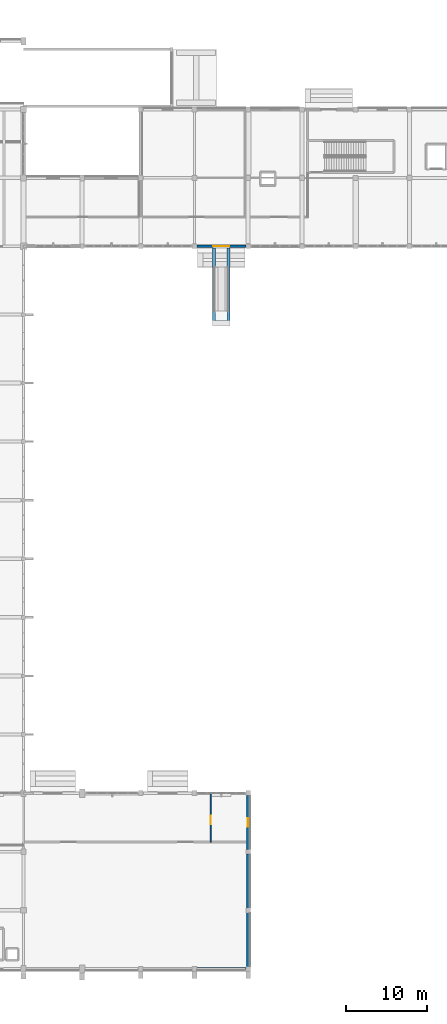
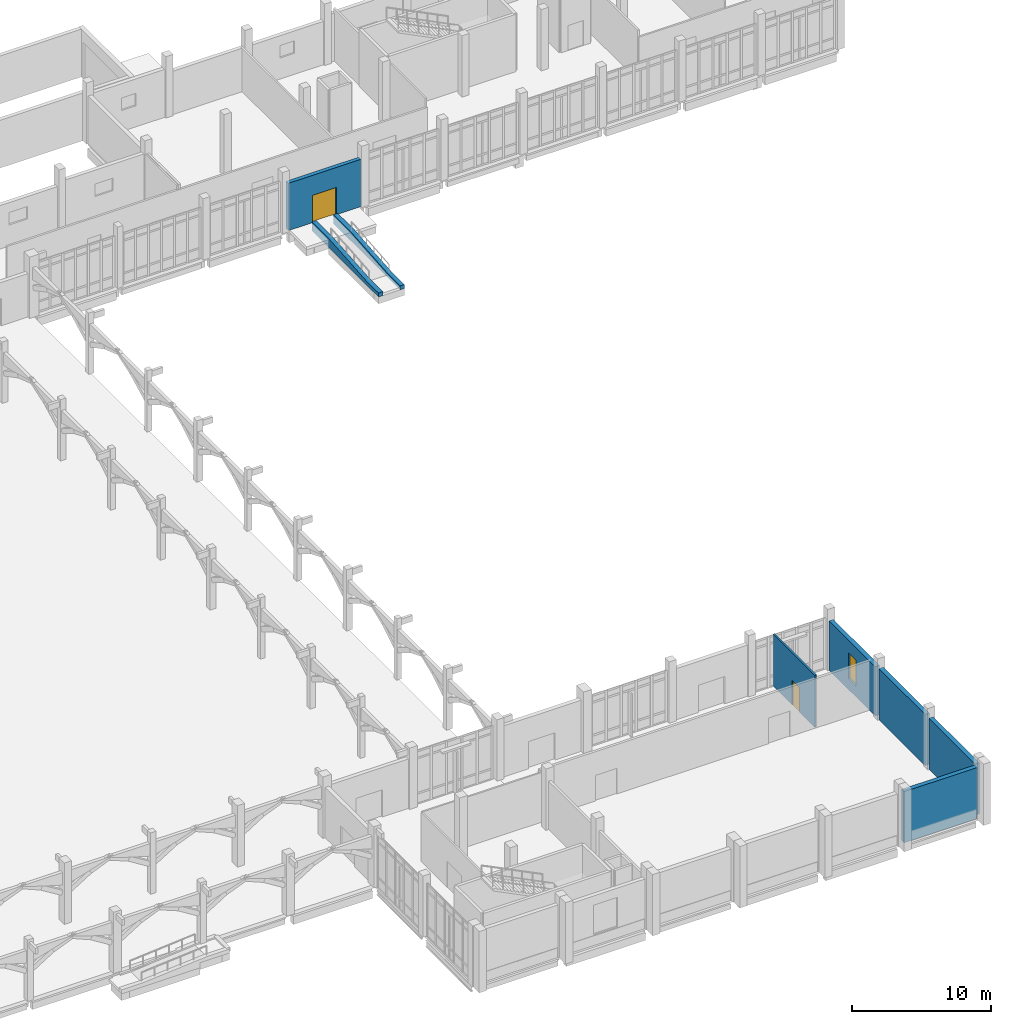
# One storey, part 96 of 110: 8 walls, 2 doors, 1 window, 3 openings.
"""IFC4 building model written with IfcOpenShell, lengths in metres."""

from ifc_helpers import new_model, si_unit, direction, frame, frame_2d, origin, place, context, subcontext, project, spatial, polyline, rectangle, outline, extrude, material, layer, layer_set, type_object, element, fill, save


model = new_model("IFC4")

# Units and contexts
model_context = context("Model", 3, precision=1e-05, world=origin(), true_north=direction((0.0, 1.0)))
body_context = subcontext(model_context, "Body", "Model", "MODEL_VIEW")
ifc_project = project(units=[si_unit("LENGTHUNIT", "METRE"), si_unit("AREAUNIT", "SQUARE_METRE"), si_unit("VOLUMEUNIT", "CUBIC_METRE"), si_unit("PLANEANGLEUNIT", "RADIAN"), si_unit("MASSUNIT", "GRAM", prefix="KILO")], contexts=[model_context])

# Site, building, storey
site_placement = place(None, origin())
site = spatial("IfcSite", under=ifc_project, at=site_placement, CompositionType="ELEMENT")
building_placement = place(site_placement, origin())
building = spatial("IfcBuilding", under=site, at=building_placement, Name="Kalluvel Institute of Natural Sciences", CompositionType="ELEMENT")
storey_placement = place(building_placement, origin())
storey = spatial("IfcBuildingStorey", under=building, at=storey_placement, Name="L00", CompositionType="ELEMENT", Elevation=0.0)

# Wall, opening, door
ifc_material_1 = material(Name="Sadarahalli Grey Granite Ashlar Concrete M40", Category="masonry")
ifc_layer_1 = layer(ifc_material_1, 0.320068359375)
ifc_layer_set_1 = layer_set([ifc_layer_1], Name="Sadarahalli Grey Granite Ashlar Concrete M40")
wall_type_1 = type_object("IfcWallType", Name="WL-EXT-320", PredefinedType="SOLIDWALL", material=ifc_layer_set_1)
wall_1_placement = place(storey_placement, frame((136.080078125, 102.800048828125, 0.0), z_axis=(0.0, 0.0, 1.0), x_axis=(1.0, 0.0, 0.0)))
wall_1 = element("IfcWall", 1, at=wall_1_placement, inside=storey, type_object=wall_type_1, Name="L00 Sadarahalli granite exterior wall WL-EXT-L00-0240", PredefinedType="SOLIDWALL", context=body_context, shape_type="SweptSolid", body=[
    extrude(rectangle(XDim=6.0400390625, YDim=0.320068359375, at=frame_2d((3.02001953125, 0.0))), origin(), (0.0, 0.0, 1.0), 4.1650390625),
])
opening_1_placement = place(wall_1_placement, frame((2.02001953125, 0.0, 0.0)))
opening_1 = element("IfcOpeningElement", 2, at=opening_1_placement, cuts=wall_1, Name="Opening E8", PredefinedType="OPENING", context=body_context, shape_type="SweptSolid", body=[
    extrude(rectangle(XDim=2.0, YDim=2.39990234375, at=frame_2d((1.0, 1.199951171875))), frame((0.0, 0.169921875, 0.0), z_axis=(0.0, -1.0, 0.0), x_axis=(1.0, 0.0, 0.0)), (0.0, 0.0, 1.0), 0.340087890625),
])
ifc_material_2 = material(Name="Aluminium AW-6063 T6", Category="aluminium")
door_type_1 = type_object("IfcDoorType", Name="DR-EXT-2000", OperationType="NOTDEFINED", PredefinedType="DOOR", material=ifc_material_2)
door_1_placement = place(opening_1_placement, origin())
door_1 = element("IfcDoor", 3, at=door_1_placement, inside=storey, type_object=door_type_1, Name="Pedestrian exit door E8", OperationType="DOUBLE_DOOR_SINGLE_SWING", OverallHeight=2.39990234375, OverallWidth=2.0, PredefinedType="DOOR", context=body_context, shape_type="SweptSolid", body=[
    extrude(rectangle(XDim=2.0, YDim=2.39990234375, at=frame_2d((1.0, 1.199951171875))), frame((0.0, 0.02490234375, 0.0), z_axis=(0.0, -1.0, 0.0), x_axis=(1.0, 0.0, 0.0)), (0.0, 0.0, 1.0), 0.050048828125),
])
fill(opening_1, door_1)

# Walls
ifc_layer_2 = layer(ifc_material_1, 0.360107421875)
ifc_layer_set_2 = layer_set([ifc_layer_2], Name="Sadarahalli Grey Granite Ashlar Concrete M40")
wall_type_2 = type_object("IfcWallType", Name="WL-EXT-360", PredefinedType="SOLIDWALL", material=ifc_layer_set_2)
wall_2_placement = place(storey_placement, frame((136.06005859375, 14.0, 0.0), z_axis=(0.0, 0.0, 1.0), x_axis=(1.0, 0.0, 0.0)))
element("IfcWall", 4, at=wall_2_placement, inside=storey, type_object=wall_type_2, Name="L00 Sadarahalli granite exterior wall WL-EXT-L00-0269", PredefinedType="SOLIDWALL", context=body_context, shape_type="SweptSolid", body=[
    extrude(rectangle(XDim=6.079833984375, YDim=0.360107421875, at=frame_2d((3.0400390625, 0.0))), origin(), (0.0, 0.0, 1.0), 4.5),
])
for number, where, z_axis, x_axis, name in (
    (5, (142.39990234375, 14.260009765625, 0.0), (0.0, 0.0, 1.0), (0.0, 1.0, 0.0), "L00 Sadarahalli granite exterior wall WL-EXT-L00-0270"),
    (6, (142.39990234375, 21.4599609375, 0.0), (0.0, 0.0, 1.0), (0.0, 1.0, 0.0), "L00 Sadarahalli granite exterior wall WL-EXT-L00-0271"),
):
    element("IfcWall", number, at=place(storey_placement, frame(where, z_axis=z_axis, x_axis=x_axis)), inside=storey, type_object=wall_type_2, Name=name, PredefinedType="SOLIDWALL", context=body_context, shape_type="SweptSolid", body=[
        extrude(rectangle(XDim=6.679931640625, YDim=0.360107421875, at=frame_2d((3.33984375, 0.0))), origin(), (0.0, 0.0, 1.0), 4.5),
    ])

# Wall, opening, window
wall_3_placement = place(storey_placement, frame((142.39990234375, 28.659912109375, 0.0), z_axis=(0.0, 0.0, 1.0), x_axis=(0.0, 1.0, 0.0)))
wall_3 = element("IfcWall", 7, at=wall_3_placement, inside=storey, type_object=wall_type_2, Name="L00 Sadarahalli granite exterior wall WL-EXT-L00-0272", PredefinedType="SOLIDWALL", context=body_context, shape_type="SweptSolid", body=[
    extrude(rectangle(XDim=6.68017578125, YDim=0.360107421875, at=frame_2d((3.340087890625, 0.0))), origin(), (0.0, 0.0, 1.0), 4.3349609375),
])
opening_2_placement = place(wall_3_placement, frame((2.7900390625, 0.0, 0.949951171875)))
opening_2 = element("IfcOpeningElement", 8, at=opening_2_placement, cuts=wall_3, Name="Opening W-03", PredefinedType="OPENING", context=body_context, shape_type="SweptSolid", body=[
    extrude(rectangle(XDim=1.10009765625, YDim=2.300048828125, at=frame_2d((0.550048828125, 1.14990234375))), frame((0.0, 0.18994140625, 0.0), z_axis=(0.0, -1.0, 0.0), x_axis=(1.0, 0.0, 0.0)), (0.0, 0.0, 1.0), 0.380126953125),
])
ifc_material_3 = material(Name="Solar-Control Low-E Laminated Glass", Category="glass")
window_type = type_object("IfcWindowType", Name="WN-LAN-110x230", PartitioningType="SINGLE_PANEL", PredefinedType="WINDOW", material=ifc_material_3)
window_placement = place(opening_2_placement, origin())
window = element("IfcWindow", 9, at=window_placement, inside=storey, type_object=window_type, Name="L00 Gothic lancet window 56", OverallHeight=2.300048828125, OverallWidth=1.10009765625, PartitioningType="SINGLE_PANEL", PredefinedType="WINDOW", context=body_context, shape_type="SweptSolid", body=[
    extrude(rectangle(XDim=1.10009765625, YDim=2.300048828125, at=frame_2d((0.550048828125, 1.14990234375))), frame((0.0, 0.030029296875, 0.0), z_axis=(0.0, -1.0, 0.0), x_axis=(1.0, 0.0, 0.0)), (0.0, 0.0, 1.0), 0.06005859375),
])
fill(opening_2, window)

# Wall, opening, door
ifc_material_4 = material(Name="Acoustic Gypsum Twin-Stud Partition", Category="gypsum")
ifc_layer_3 = layer(ifc_material_4, 0.139892578125)
ifc_layer_set_3 = layer_set([ifc_layer_3], Name="Acoustic Gypsum Twin-Stud Partition")
wall_type_3 = type_object("IfcWallType", Name="WL-PART-140", PredefinedType="PARTITIONING", material=ifc_layer_set_3)
wall_4_placement = place(storey_placement, frame((137.800048828125, 29.60009765625, 0.0), z_axis=(0.0, 0.0, 1.0), x_axis=(0.0, 1.0, 0.0)))
wall_4 = element("IfcWall", 10, at=wall_4_placement, inside=storey, type_object=wall_type_3, Name="L00 interior partition wall WL-INT-L00-0076", PredefinedType="PARTITIONING", context=body_context, shape_type="SweptSolid", body=[
    extrude(rectangle(XDim=6.0, YDim=0.139892578125, at=frame_2d((3.0, 0.0))), origin(), (0.0, 0.0, 1.0), 4.590087890625),
])
opening_3_placement = place(wall_4_placement, frame((2.199951171875, 0.0, 0.0)))
opening_3 = element("IfcOpeningElement", 11, at=opening_3_placement, cuts=wall_4, Name="Opening D-091", PredefinedType="OPENING", context=body_context, shape_type="SweptSolid", body=[
    extrude(rectangle(XDim=1.050048828125, YDim=2.14990234375, at=frame_2d((0.52490234375, 1.074951171875))), frame((0.0, 0.079833984375, 0.0), z_axis=(0.0, -1.0, 0.0), x_axis=(1.0, 0.0, 0.0)), (0.0, 0.0, 1.0), 0.159912109375),
])
ifc_material_5 = material(Name="Engineered Hardwood Acoustic Leaf", Category="wood")
door_type_2 = type_object("IfcDoorType", Name="DR-ACC-1050", OperationType="NOTDEFINED", PredefinedType="DOOR", material=ifc_material_5)
door_2_placement = place(opening_3_placement, origin())
door_2 = element("IfcDoor", 12, at=door_2_placement, inside=storey, type_object=door_type_2, Name="Auditorium Accessible WC door D-091", OperationType="SINGLE_SWING_LEFT", OverallHeight=2.14990234375, OverallWidth=1.050048828125, PredefinedType="DOOR", context=body_context, shape_type="SweptSolid", body=[
    extrude(rectangle(XDim=1.050048828125, YDim=2.14990234375, at=frame_2d((0.52490234375, 1.074951171875))), frame((0.0, 0.02490234375, 0.0), z_axis=(0.0, -1.0, 0.0), x_axis=(1.0, 0.0, 0.0)), (0.0, 0.0, 1.0), 0.050048828125),
])
fill(opening_3, door_2)

# Walls
ifc_material_6 = material(Name="Concrete M40", Category="concrete")
ifc_layer_4 = layer(ifc_material_6, 0.35009765625)
ifc_layer_set_4 = layer_set([ifc_layer_4], Name="Concrete M40")
wall_type_4 = type_object("IfcWallType", Name="WL-RET-350", PredefinedType="USERDEFINED", material=ifc_layer_set_4)
for number, where, z_axis, x_axis, name in (
    (13, (138.199951171875, 93.0, -0.669921875), (0.0, 0.0, 1.0), (0.0, 1.0, 0.0), "Accessible entrance ramp granite cheek wall R4-W"),
    (14, (140.0, 93.0, -0.669921875), (0.0, 0.0, 1.0), (0.0, 1.0, 0.0), "Accessible entrance ramp granite cheek wall R4-E"),
):
    element("IfcWall", number, at=place(storey_placement, frame(where, z_axis=z_axis, x_axis=x_axis)), inside=storey, type_object=wall_type_4, Name=name, ObjectType="RETAINING WALL", PredefinedType="USERDEFINED", context=body_context, shape_type="SweptSolid", body=[
        extrude(outline(polyline([(0.0, 0.0), (9.60009765625, 0.0), (9.60009765625, 0.7900390625), (7.199951171875, 0.7900390625), (1.800048828125, 0.349853515625), (0.0, 0.349853515625), (0.0, 0.0)])), frame((0.0, 0.175048828125, 0.0), z_axis=(0.0, -1.0, 0.0), x_axis=(1.0, 0.0, 0.0)), (0.0, 0.0, 1.0), 0.35009765625),
    ])

save(model, "model.ifc")
